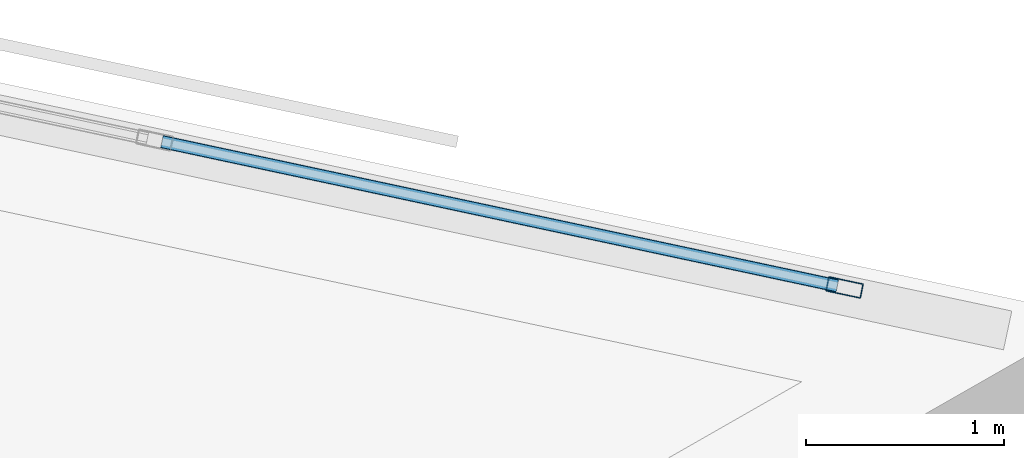
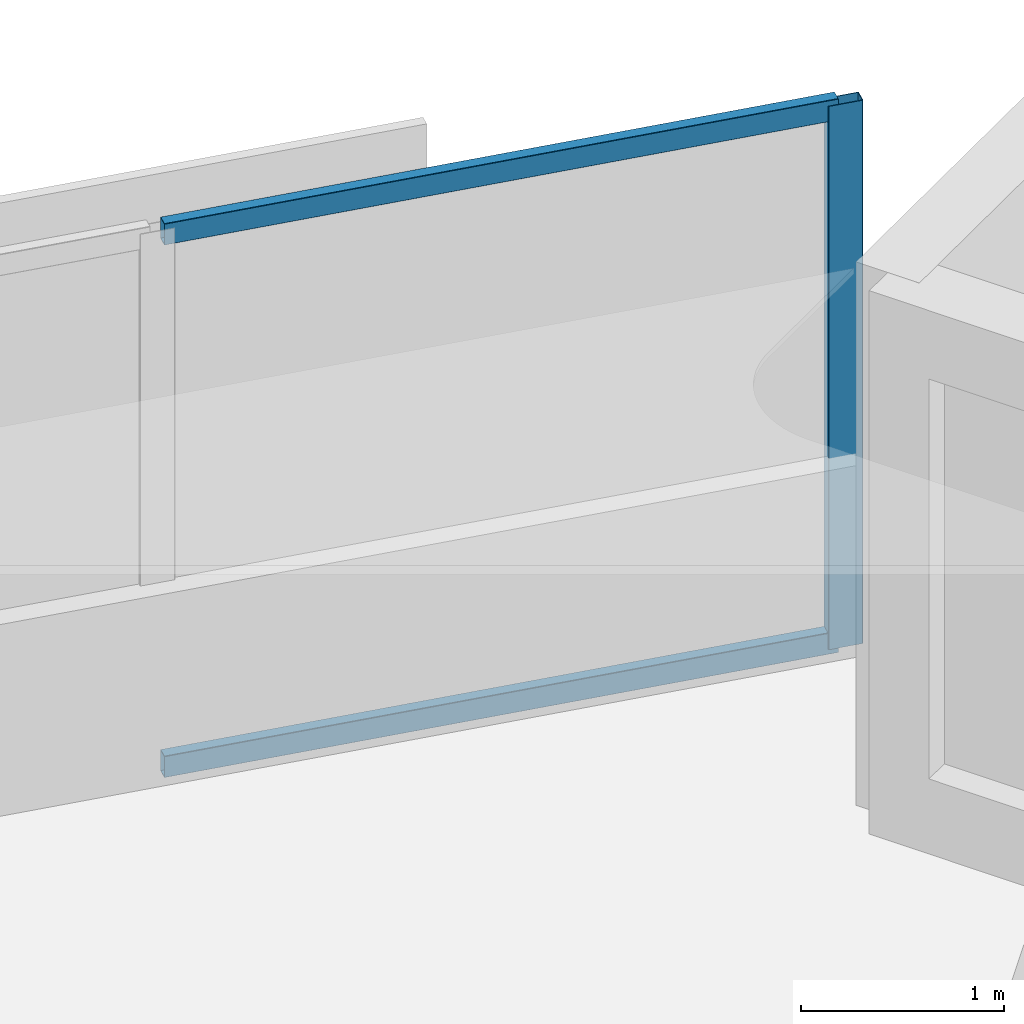
# One storey, part 6 of 14: 3 members, 1 element without a shape of its own.
"""IFC4 building model written with IfcOpenShell, lengths in metres."""

from ifc_helpers import new_model, si_unit, direction, frame, origin, origin_2d, place, context, subcontext, project, spatial, hollow_rectangle, extrude, material, material_profile, profile_set, type_object, element, aggregate, save


model = new_model("IFC4")

# Units and contexts
model_context = context("Model", 3, precision=1e-05, world=origin(), true_north=direction((0.0, 1.0)))
body_context = subcontext(model_context, "Body", "Model", "MODEL_VIEW")
ifc_project = project(units=[si_unit("LENGTHUNIT", "METRE"), si_unit("AREAUNIT", "SQUARE_METRE"), si_unit("VOLUMEUNIT", "CUBIC_METRE"), si_unit("PLANEANGLEUNIT", "RADIAN"), si_unit("MASSUNIT", "GRAM", prefix="KILO")], contexts=[model_context])

# Site, building, storey
site_placement = place(None, origin())
site = spatial("IfcSite", under=ifc_project, at=site_placement, CompositionType="ELEMENT")
building_placement = place(site_placement, origin())
building = spatial("IfcBuilding", under=site, at=building_placement, Name="Narakoshi Arena Tower", CompositionType="ELEMENT")
storey_placement = place(building_placement, frame((0.0, 0.0, 211.4599609375)))
storey = spatial("IfcBuildingStorey", under=building, at=storey_placement, Name="L57", CompositionType="ELEMENT", Elevation=211.4599609375)

# Curtain wall, members
ifc_material = material(Name="Anodised bronze aluminium 6063-T6", Category="aluminium")
curtain_wall_type = type_object("IfcCurtainWallType", Name="CW-HYP-MID", PredefinedType="NOTDEFINED", material=ifc_material)
curtain_wall_placement = place(storey_placement, origin())
curtain_wall = element("IfcCurtainWall", 1, at=curtain_wall_placement, inside=storey, type_object=curtain_wall_type, Name="L57 Folded Hypotenuse Curtain Wall 1-1", PredefinedType="NOTDEFINED")
ifc_material_profile_1 = material_profile(ifc_material, hollow_rectangle(XDim=0.074951171875, YDim=0.179931640625, WallThickness=0.00390625, OuterFilletRadius=0.0048828125, at=origin_2d()), Name="MUL180x75x4")
ifc_profile_set_1 = profile_set([ifc_material_profile_1], Name="Anodised bronze aluminium 6063-T6")
member_type_1 = type_object("IfcMemberType", Name="MEM-MUL-180", PredefinedType="MULLION", material=ifc_profile_set_1)
member_1_placement = place(storey_placement, frame((115.57373046875, 56.938232421875, 0.0), z_axis=(0.0, 0.0, 1.0), x_axis=(-0.208899163248, -0.977937185914, 0.0)))
member_1 = element("IfcMember", 2, at=member_1_placement, type_object=member_type_1, Name="CW-02 mullion 1", PredefinedType="MULLION", context=body_context, shape_type="SweptSolid", body=[
    extrude(hollow_rectangle(XDim=0.074951171875, YDim=0.179931640625, WallThickness=0.00390625, OuterFilletRadius=0.0048828125, at=origin_2d()), origin(), (0.0, 0.0, 1.0), 3.260009765625),
])
ifc_material_profile_2 = material_profile(ifc_material, hollow_rectangle(XDim=0.06494140625, YDim=0.1298828125, WallThickness=0.00390625, OuterFilletRadius=0.0048828125, at=origin_2d()), Name="TRN130x65x4")
ifc_profile_set_2 = profile_set([ifc_material_profile_2], Name="Anodised bronze aluminium 6063-T6")
member_type_2 = type_object("IfcMemberType", Name="MEM-TRN-130", PredefinedType="USERDEFINED", material=ifc_profile_set_2)
member_2_placement = place(storey_placement, frame((115.537109375, 56.946044921875, 0.032470703125), z_axis=(-0.977942813259, 0.20887281775, 0.0), x_axis=(-0.20887281775, -0.977942813259, 0.0)))
member_2 = element("IfcMember", 3, at=member_2_placement, type_object=member_type_2, Name="CW-02 transom 1.1", ObjectType="TRANSOM", PredefinedType="USERDEFINED", context=body_context, shape_type="SweptSolid", body=[
    extrude(hollow_rectangle(XDim=0.06494140625, YDim=0.1298828125, WallThickness=0.00390625, OuterFilletRadius=0.0048828125, at=origin_2d()), origin(), (0.0, 0.0, 1.0), 3.480712890625),
])
member_3_placement = place(storey_placement, frame((115.537109375, 56.946044921875, 3.2275390625), z_axis=(-0.977942813259, 0.20887281775, 0.0), x_axis=(-0.20887281775, -0.977942813259, 0.0)))
member_3 = element("IfcMember", 4, at=member_3_placement, type_object=member_type_2, Name="CW-02 transom 1.2", ObjectType="TRANSOM", PredefinedType="USERDEFINED", context=body_context, shape_type="SweptSolid", body=[
    extrude(hollow_rectangle(XDim=0.06494140625, YDim=0.1298828125, WallThickness=0.00390625, OuterFilletRadius=0.0048828125, at=origin_2d()), origin(), (0.0, 0.0, 1.0), 3.480712890625),
])
aggregate(curtain_wall, [member_1, member_2, member_3])

save(model, "model.ifc")
